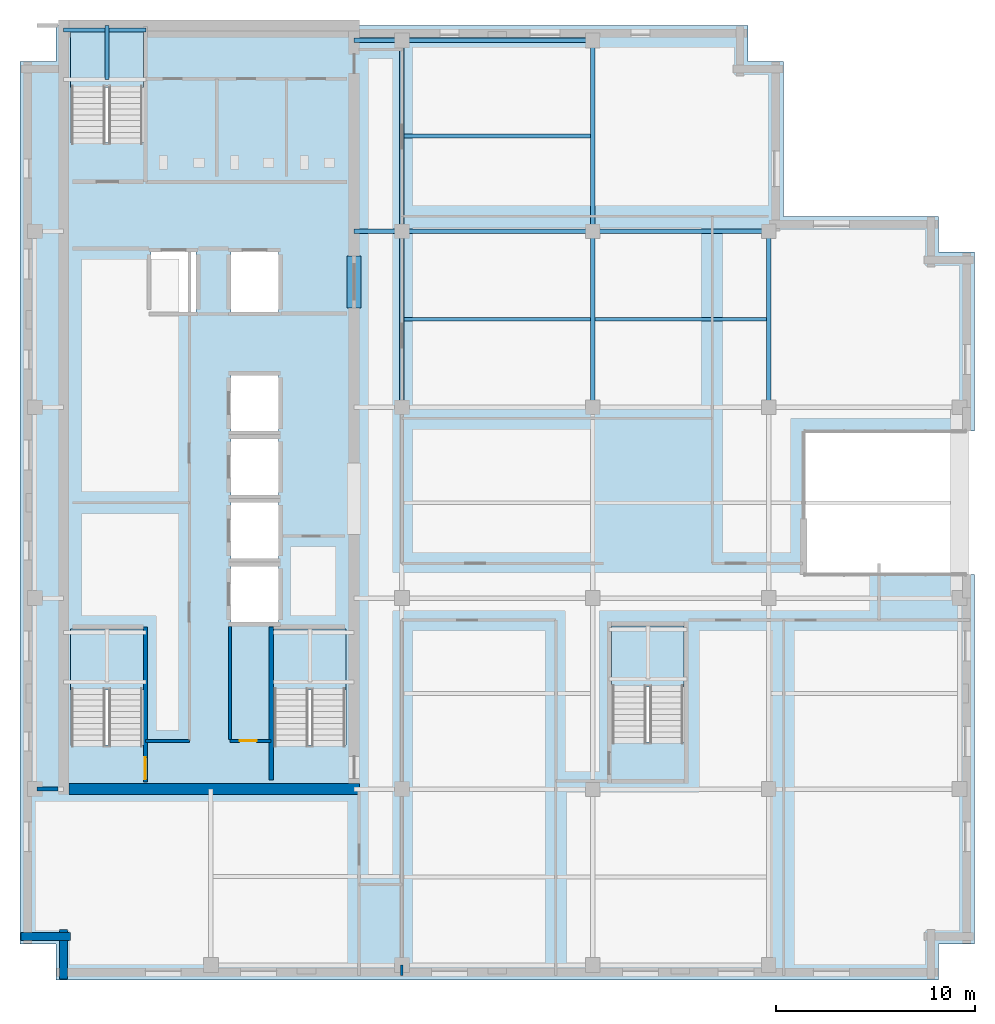
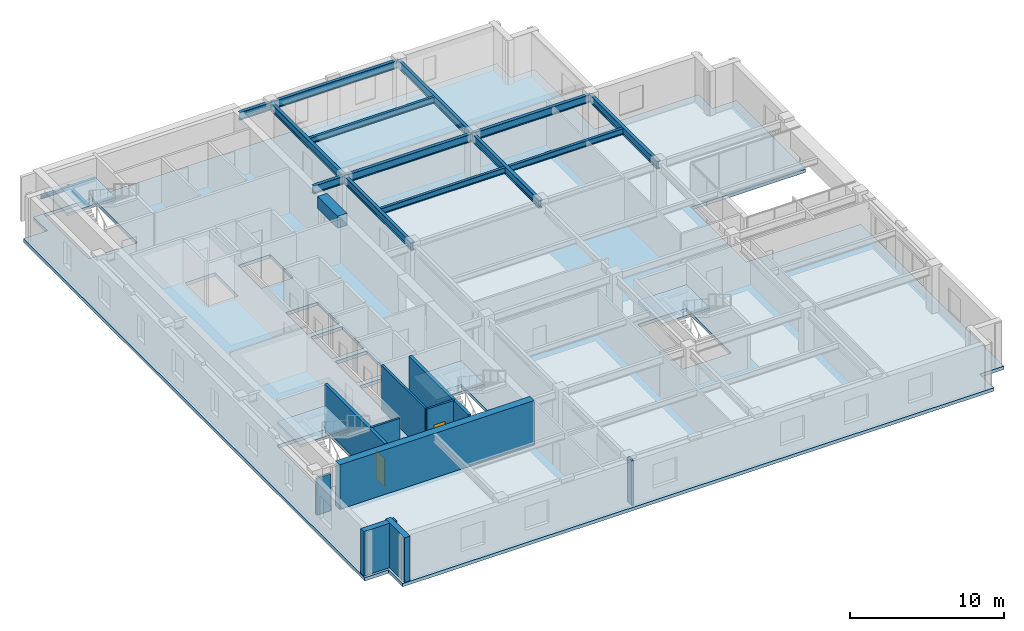
# One storey, part 2 of 11: 16 beams, 10 walls, 5 slabs, 2 doors, 2 openings, 4 elements without a shape of their own.
"""IFC4 building model written with IfcOpenShell, lengths in metres."""

from ifc_helpers import new_model, si_unit, direction, frame, frame_2d, origin, origin_2d, place, context, subcontext, project, spatial, polyline, rectangle, i_section, outline, extrude, material, layer, layer_set, material_profile, profile_set, type_object, element, fill, aggregate, save


model = new_model("IFC4")

# Units and contexts
model_context = context("Model", 3, precision=1e-05, world=origin(), true_north=direction((0.0, 1.0)))
body_context = subcontext(model_context, "Body", "Model", "MODEL_VIEW")
ifc_project = project(units=[si_unit("LENGTHUNIT", "METRE"), si_unit("AREAUNIT", "SQUARE_METRE"), si_unit("VOLUMEUNIT", "CUBIC_METRE"), si_unit("PLANEANGLEUNIT", "RADIAN"), si_unit("MASSUNIT", "GRAM", prefix="KILO")], contexts=[model_context])

# Site, building, storey
site_placement = place(None, origin())
site = spatial("IfcSite", under=ifc_project, at=site_placement, CompositionType="ELEMENT")
building_placement = place(site_placement, origin())
building = spatial("IfcBuilding", under=site, at=building_placement, Name="Norrvale University Quadrangle", CompositionType="ELEMENT")
storey_placement = place(building_placement, frame((0.0, 0.0, 281.0)))
storey = spatial("IfcBuildingStorey", under=building, at=storey_placement, Name="L71", CompositionType="ELEMENT", Elevation=281.0)

# Beams
ifc_material_1 = material(Name="Concrete C80/95", Category="concrete")
ifc_material_profile_1 = material_profile(ifc_material_1, rectangle(XDim=0.699951171875, YDim=0.949951171875, at=origin_2d()), Name="Concrete C80/95")
ifc_profile_set_1 = profile_set([ifc_material_profile_1], Name="Concrete C80/95")
beam_type_1 = type_object("IfcBeamType", Name="Beam Core Link 700x950", PredefinedType="LINTEL", material=ifc_profile_set_1)
beam_1_placement = place(storey_placement, frame((16.800048828125, 33.800048828125, 3.06494140625), z_axis=(0.0, 1.0, 0.0), x_axis=(-1.0, 0.0, 0.0)))
element("IfcBeam", 1, at=beam_1_placement, inside=storey, type_object=beam_type_1, Name="Core Coupling Lintel Beam L71-2", PredefinedType="LINTEL", context=body_context, shape_type="SweptSolid", body=[
    extrude(rectangle(XDim=0.699951171875, YDim=0.949951171875, at=origin_2d()), origin(), (0.0, 0.0, 1.0), 2.599853515625),
])
ifc_material_2 = material(Name="Steel 350W", Category="steel")
ifc_material_profile_2 = material_profile(ifc_material_2, i_section(OverallWidth=0.194091796875, OverallDepth=0.468994140625, WebThickness=0.0126953125, FlangeThickness=0.0205078125, FilletRadius=0.012939453125, at=origin_2d()), Name="Steel 350W")
ifc_profile_set_2 = profile_set([ifc_material_profile_2], Name="Steel 350W")
beam_type_2 = type_object("IfcBeamType", Name="Beam Floor W460x106", PredefinedType="BEAM", material=ifc_profile_set_2)
for number, where, z_axis, x_axis, name in (
    (2, (19.31494140625, 33.22509765625, 3.305419921875), (1.0, 0.0, 0.0), (0.0, 1.0, 0.0), "Beam Floor W460x106 BM-L71-J046"),
    (3, (19.31494140625, 42.449951171875, 3.305419921875), (1.0, 0.0, 0.0), (0.0, 1.0, 0.0), "Beam Floor W460x106 BM-L71-J047"),
):
    element("IfcBeam", number, at=place(storey_placement, frame(where, z_axis=z_axis, x_axis=x_axis)), inside=storey, type_object=beam_type_2, Name=name, PredefinedType="BEAM", context=body_context, shape_type="SweptSolid", body=[
        extrude(i_section(OverallWidth=0.194091796875, OverallDepth=0.468994140625, WebThickness=0.0126953125, FlangeThickness=0.0205078125, FilletRadius=0.012939453125, at=origin_2d()), origin(), (0.0, 0.0, 1.0), 9.3701171875),
    ])
beam_2_placement = place(storey_placement, frame((28.9150390625, 33.22509765625, 3.305419921875), z_axis=(1.0, 0.0, 0.0), x_axis=(0.0, 1.0, 0.0)))
element("IfcBeam", 4, at=beam_2_placement, inside=storey, type_object=beam_type_2, Name="Beam Floor W460x106 BM-L71-J050", PredefinedType="BEAM", context=body_context, shape_type="SweptSolid", body=[
    extrude(i_section(OverallWidth=0.194091796875, OverallDepth=0.468994140625, WebThickness=0.0126953125, FlangeThickness=0.0205078125, FilletRadius=0.012939453125, at=origin_2d()), origin(), (0.0, 0.0, 1.0), 8.619873046875),
])
ifc_material_profile_3 = material_profile(ifc_material_2, i_section(OverallWidth=0.22998046875, OverallDepth=0.616943359375, WebThickness=0.01318359375, FlangeThickness=0.022216796875, FilletRadius=0.01611328125, at=origin_2d()), Name="Steel 350W")
ifc_profile_set_3 = profile_set([ifc_material_profile_3], Name="Steel 350W")
beam_type_3 = type_object("IfcBeamType", Name="Beam Floor W610x140", PredefinedType="BEAM", material=ifc_profile_set_3)
beam_3_placement = place(storey_placement, frame((19.199951171875, 37.64990234375, 3.2314453125), z_axis=(1.0, 0.0, 0.0), x_axis=(0.0, 1.0, 0.0)))
element("IfcBeam", 5, at=beam_3_placement, inside=storey, type_object=beam_type_3, Name="Beam Floor W610x140 BM-L71-GX013", PredefinedType="BEAM", context=body_context, shape_type="SweptSolid", body=[
    extrude(i_section(OverallWidth=0.22998046875, OverallDepth=0.616943359375, WebThickness=0.01318359375, FlangeThickness=0.022216796875, FilletRadius=0.01611328125, at=origin_2d()), origin(), (0.0, 0.0, 1.0), 9.60009765625),
])
beam_4_placement = place(storey_placement, frame((28.800048828125, 37.64990234375, 3.2314453125), z_axis=(1.0, 0.0, 0.0), x_axis=(0.0, 1.0, 0.0)))
element("IfcBeam", 6, at=beam_4_placement, inside=storey, type_object=beam_type_3, Name="Beam Floor W610x140 BM-L71-GX014", PredefinedType="BEAM", context=body_context, shape_type="SweptSolid", body=[
    extrude(i_section(OverallWidth=0.22998046875, OverallDepth=0.616943359375, WebThickness=0.01318359375, FlangeThickness=0.022216796875, FilletRadius=0.01611328125, at=origin_2d()), origin(), (0.0, 0.0, 1.0), 8.849853515625),
])
beam_5_placement = place(storey_placement, frame((19.199951171875, 47.25, 3.2314453125), z_axis=(1.0, 0.0, 0.0), x_axis=(0.0, 1.0, 0.0)))
element("IfcBeam", 7, at=beam_5_placement, inside=storey, type_object=beam_type_3, Name="Beam Floor W610x140 BM-L71-GX015", PredefinedType="BEAM", context=body_context, shape_type="SweptSolid", body=[
    extrude(i_section(OverallWidth=0.22998046875, OverallDepth=0.616943359375, WebThickness=0.01318359375, FlangeThickness=0.022216796875, FilletRadius=0.01611328125, at=origin_2d()), origin(), (0.0, 0.0, 1.0), 9.60009765625),
])
beam_6_placement = place(storey_placement, frame((19.199951171875, 28.800048828125, 3.2314453125), z_axis=(0.0, 1.0, 0.0), x_axis=(-1.0, 0.0, 0.0)))
element("IfcBeam", 8, at=beam_6_placement, inside=storey, type_object=beam_type_3, Name="Beam Floor W610x140 BM-L71-GY022", PredefinedType="BEAM", context=body_context, shape_type="SweptSolid", body=[
    extrude(i_section(OverallWidth=0.22998046875, OverallDepth=0.616943359375, WebThickness=0.01318359375, FlangeThickness=0.022216796875, FilletRadius=0.01611328125, at=origin_2d()), origin(), (0.0, 0.0, 1.0), 8.849853515625),
])
beam_7_placement = place(storey_placement, frame((19.199951171875, 37.64990234375, 3.2314453125), z_axis=(0.0, 1.0, 0.0), x_axis=(-1.0, 0.0, 0.0)))
element("IfcBeam", 9, at=beam_7_placement, inside=storey, type_object=beam_type_3, Name="Beam Floor W610x140 BM-L71-GY023", PredefinedType="BEAM", context=body_context, shape_type="SweptSolid", body=[
    extrude(i_section(OverallWidth=0.22998046875, OverallDepth=0.616943359375, WebThickness=0.01318359375, FlangeThickness=0.022216796875, FilletRadius=0.01611328125, at=origin_2d()), origin(), (0.0, 0.0, 1.0), 9.60009765625),
])
beam_8_placement = place(storey_placement, frame((28.800048828125, 28.800048828125, 3.2314453125), z_axis=(0.0, 1.0, 0.0), x_axis=(-1.0, 0.0, 0.0)))
element("IfcBeam", 10, at=beam_8_placement, inside=storey, type_object=beam_type_3, Name="Beam Floor W610x140 BM-L71-GY027", PredefinedType="BEAM", context=body_context, shape_type="SweptSolid", body=[
    extrude(i_section(OverallWidth=0.22998046875, OverallDepth=0.616943359375, WebThickness=0.01318359375, FlangeThickness=0.022216796875, FilletRadius=0.01611328125, at=origin_2d()), origin(), (0.0, 0.0, 1.0), 8.849853515625),
])
beam_9_placement = place(storey_placement, frame((28.800048828125, 37.64990234375, 3.2314453125), z_axis=(0.0, 1.0, 0.0), x_axis=(-1.0, 0.0, 0.0)))
element("IfcBeam", 11, at=beam_9_placement, inside=storey, type_object=beam_type_3, Name="Beam Floor W610x140 BM-L71-GY028", PredefinedType="BEAM", context=body_context, shape_type="SweptSolid", body=[
    extrude(i_section(OverallWidth=0.22998046875, OverallDepth=0.616943359375, WebThickness=0.01318359375, FlangeThickness=0.022216796875, FilletRadius=0.01611328125, at=origin_2d()), origin(), (0.0, 0.0, 1.0), 9.60009765625),
])
beam_10_placement = place(storey_placement, frame((37.64990234375, 28.800048828125, 3.2314453125), z_axis=(0.0, 1.0, 0.0), x_axis=(-1.0, 0.0, 0.0)))
element("IfcBeam", 12, at=beam_10_placement, inside=storey, type_object=beam_type_3, Name="Beam Floor W610x140 BM-L71-GY032", PredefinedType="BEAM", context=body_context, shape_type="SweptSolid", body=[
    extrude(i_section(OverallWidth=0.22998046875, OverallDepth=0.616943359375, WebThickness=0.01318359375, FlangeThickness=0.022216796875, FilletRadius=0.01611328125, at=origin_2d()), origin(), (0.0, 0.0, 1.0), 8.849853515625),
])
for number, where, z_axis, x_axis, name in (
    (13, (16.800048828125, 37.64990234375, 3.2314453125), (1.0, 0.0, 0.0), (0.0, 1.0, 0.0), "Beam Floor W610x140 BM-L71-GCE041"),
    (14, (16.800048828125, 47.25, 3.2314453125), (1.0, 0.0, 0.0), (0.0, 1.0, 0.0), "Beam Floor W610x140 BM-L71-GCE042"),
):
    element("IfcBeam", number, at=place(storey_placement, frame(where, z_axis=z_axis, x_axis=x_axis)), inside=storey, type_object=beam_type_3, Name=name, PredefinedType="BEAM", context=body_context, shape_type="SweptSolid", body=[
        extrude(i_section(OverallWidth=0.22998046875, OverallDepth=0.616943359375, WebThickness=0.01318359375, FlangeThickness=0.022216796875, FilletRadius=0.01611328125, at=origin_2d()), origin(), (0.0, 0.0, 1.0), 2.39990234375),
    ])
ifc_material_profile_4 = material_profile(ifc_material_2, i_section(OverallWidth=0.201904296875, OverallDepth=0.2470703125, WebThickness=0.00732421875, FlangeThickness=0.010986328125, FilletRadius=0.011962890625, at=origin_2d()), Name="Steel 350W")
ifc_profile_set_4 = profile_set([ifc_material_profile_4], Name="Steel 350W")
beam_type_4 = type_object("IfcBeamType", Name="Beam Stair W250x49", PredefinedType="BEAM", material=ifc_profile_set_4)
beam_11_placement = place(storey_placement, frame((2.199951171875, 47.77001953125, 1.576416015625), z_axis=(1.0, 0.0, 0.0), x_axis=(0.0, 1.0, 0.0)))
element("IfcBeam", 15, at=beam_11_placement, inside=storey, type_object=beam_type_4, Name="Stair Mid-Landing Rear Beam ST-02 L71", PredefinedType="BEAM", context=body_context, shape_type="SweptSolid", body=[
    extrude(i_section(OverallWidth=0.201904296875, OverallDepth=0.2470703125, WebThickness=0.00732421875, FlangeThickness=0.010986328125, FilletRadius=0.011962890625, at=origin_2d()), origin(), (0.0, 0.0, 1.0), 4.14013671875),
])
ifc_material_profile_5 = material_profile(ifc_material_2, i_section(OverallWidth=0.202880859375, OverallDepth=0.202880859375, WebThickness=0.007080078125, FlangeThickness=0.010986328125, FilletRadius=0.010009765625, at=origin_2d()), Name="Steel 350W")
ifc_profile_set_5 = profile_set([ifc_material_profile_5], Name="Steel 350W")
beam_type_5 = type_object("IfcBeamType", Name="Beam Trim W200x46", PredefinedType="BEAM", material=ifc_profile_set_5)
beam_12_placement = place(storey_placement, frame((4.375, 45.2900390625, 1.598388671875), z_axis=(0.0, 1.0, 0.0), x_axis=(-1.0, 0.0, 0.0)))
element("IfcBeam", 16, at=beam_12_placement, inside=storey, type_object=beam_type_5, Name="Stair Mid-Landing Cross Beam ST-02 L71", PredefinedType="BEAM", context=body_context, shape_type="SweptSolid", body=[
    extrude(i_section(OverallWidth=0.202880859375, OverallDepth=0.202880859375, WebThickness=0.007080078125, FlangeThickness=0.010986328125, FilletRadius=0.010009765625, at=origin_2d()), origin(), (0.0, 0.0, 1.0), 2.7099609375),
])

# Stair, slab
ifc_material_3 = material(Name="Concrete C40/50", Category="concrete")
stair_type = type_object("IfcStairType", Name="Stair Tower Typ 3800", PredefinedType="TWO_STRAIGHT_RUN_STAIR", material=ifc_material_3)
stair_1_placement = place(storey_placement, origin())
stair_1 = element("IfcStair", 17, at=stair_1_placement, inside=storey, type_object=stair_type, Name="Exit Stair ST-01 L71", PredefinedType="TWO_STRAIGHT_RUN_STAIR")
ifc_layer_1 = layer(ifc_material_3, 0.199951171875, Name="Concrete C40/50")
ifc_layer_set_1 = layer_set([ifc_layer_1], Name="Concrete C40/50")
slab_type_1 = type_object("IfcSlabType", Name="Slab Landing 200", PredefinedType="LANDING", material=ifc_layer_set_1)
slab_1_placement = place(storey_placement, frame((0.0, 0.0, 1.699951171875)))
slab_1 = element("IfcSlab", 18, at=slab_1_placement, type_object=slab_type_1, Name="Exit Stair ST-01 L71 Mid Landing", PredefinedType="LANDING", context=body_context, shape_type="SweptSolid", body=[
    extrude(outline(polyline([(2.550048828125, 14.590087890625), (6.199951171875, 14.590087890625), (6.199951171875, 17.64990234375), (2.550048828125, 17.64990234375), (2.550048828125, 14.590087890625)])), origin(), (0.0, 0.0, 1.0), 0.199951171875),
])
aggregate(stair_1, [slab_1])

stair_2_placement = place(storey_placement, origin())
stair_2 = element("IfcStair", 19, at=stair_2_placement, inside=storey, type_object=stair_type, Name="Exit Stair ST-02 L71", PredefinedType="TWO_STRAIGHT_RUN_STAIR")
slab_2_placement = place(storey_placement, frame((0.0, 0.0, 1.699951171875)))
slab_2 = element("IfcSlab", 20, at=slab_2_placement, type_object=slab_type_1, Name="Exit Stair ST-02 L71 Mid Landing", PredefinedType="LANDING", context=body_context, shape_type="SweptSolid", body=[
    extrude(outline(polyline([(2.550048828125, 44.889892578125), (6.199951171875, 44.889892578125), (6.199951171875, 47.949951171875), (2.550048828125, 47.949951171875), (2.550048828125, 44.889892578125)])), origin(), (0.0, 0.0, 1.0), 0.199951171875),
])
aggregate(stair_2, [slab_2])

stair_3_placement = place(storey_placement, origin())
stair_3 = element("IfcStair", 21, at=stair_3_placement, inside=storey, type_object=stair_type, Name="Exit Stair ST-03 L71", PredefinedType="TWO_STRAIGHT_RUN_STAIR")
slab_3_placement = place(storey_placement, frame((0.0, 0.0, 1.699951171875)))
slab_3 = element("IfcSlab", 22, at=slab_3_placement, type_object=slab_type_1, Name="Exit Stair ST-03 L71 Mid Landing", PredefinedType="LANDING", context=body_context, shape_type="SweptSolid", body=[
    extrude(outline(polyline([(12.75, 14.590087890625), (16.39990234375, 14.590087890625), (16.39990234375, 17.64990234375), (12.75, 17.64990234375), (12.75, 14.590087890625)])), origin(), (0.0, 0.0, 1.0), 0.199951171875),
])
aggregate(stair_3, [slab_3])

stair_4_placement = place(storey_placement, origin())
stair_4 = element("IfcStair", 23, at=stair_4_placement, inside=storey, type_object=stair_type, Name="Exit Stair ST-04 L71", PredefinedType="TWO_STRAIGHT_RUN_STAIR")
slab_4_placement = place(storey_placement, frame((0.0, 0.0, 1.699951171875)))
slab_4 = element("IfcSlab", 24, at=slab_4_placement, type_object=slab_type_1, Name="Exit Stair ST-04 L71 Mid Landing", PredefinedType="LANDING", context=body_context, shape_type="SweptSolid", body=[
    extrude(outline(polyline([(29.75, 14.739990234375), (33.39990234375, 14.739990234375), (33.39990234375, 17.800048828125), (29.75, 17.800048828125), (29.75, 14.739990234375)])), origin(), (0.0, 0.0, 1.0), 0.199951171875),
])
aggregate(stair_4, [slab_4])

# Slab
ifc_layer_2 = layer(ifc_material_3, 0.260009765625, Name="Concrete C40/50")
ifc_layer_set_2 = layer_set([ifc_layer_2], Name="Concrete C40/50")
slab_type_2 = type_object("IfcSlabType", Name="Slab Tower Typ 260", PredefinedType="FLOOR", material=ifc_layer_set_2)
slab_5_placement = place(storey_placement, frame((0.0, 0.0, -0.260009765625)))
element("IfcSlab", 25, at=slab_5_placement, inside=storey, type_object=slab_type_2, Name="Tower L71 Floor Slab", PredefinedType="FLOOR", context=body_context, shape_type="SweptSolid", body=[
    extrude(outline(polyline([(48.0, 1.800048828125), (46.199951171875, 1.800048828125), (46.199951171875, 0.0), (1.800048828125, 0.0), (1.800048828125, 1.800048828125), (0.0, 1.800048828125), (0.0, 46.199951171875), (1.800048828125, 46.199951171875), (1.800048828125, 48.0), (36.60009765625, 48.0), (36.60009765625, 46.199951171875), (38.39990234375, 46.199951171875), (38.39990234375, 38.39990234375), (46.199951171875, 38.39990234375), (46.199951171875, 36.60009765625), (48.0, 36.60009765625), (48.0, 27.60009765625), (39.39990234375, 27.60009765625), (39.39990234375, 20.39990234375), (48.0, 20.39990234375), (48.0, 1.800048828125)]), holes=[polyline([(2.550048828125, 11.81005859375), (6.199951171875, 11.81005859375), (6.199951171875, 17.64990234375), (2.550048828125, 17.64990234375), (2.550048828125, 11.81005859375)]), polyline([(2.550048828125, 42.110107421875), (6.199951171875, 42.110107421875), (6.199951171875, 47.949951171875), (2.550048828125, 47.949951171875), (2.550048828125, 42.110107421875)]), polyline([(12.75, 11.81005859375), (16.39990234375, 11.81005859375), (16.39990234375, 17.64990234375), (12.75, 17.64990234375), (12.75, 11.81005859375)]), polyline([(29.75, 11.9599609375), (33.39990234375, 11.9599609375), (33.39990234375, 17.800048828125), (29.75, 17.800048828125), (29.75, 11.9599609375)]), polyline([(10.60009765625, 18.0), (13.0, 18.0), (13.0, 20.800048828125), (10.60009765625, 20.800048828125), (10.60009765625, 18.0)]), polyline([(10.60009765625, 21.199951171875), (13.0, 21.199951171875), (13.0, 24.0), (10.60009765625, 24.0), (10.60009765625, 21.199951171875)]), polyline([(10.60009765625, 24.39990234375), (13.0, 24.39990234375), (13.0, 27.199951171875), (10.60009765625, 27.199951171875), (10.60009765625, 24.39990234375)]), polyline([(10.60009765625, 27.60009765625), (13.0, 27.60009765625), (13.0, 30.39990234375), (10.60009765625, 30.39990234375), (10.60009765625, 27.60009765625)]), polyline([(6.60009765625, 33.60009765625), (8.85009765625, 33.60009765625), (8.85009765625, 36.60009765625), (6.60009765625, 36.60009765625), (6.60009765625, 33.60009765625)]), polyline([(10.60009765625, 33.60009765625), (13.0, 33.60009765625), (13.0, 36.60009765625), (10.60009765625, 36.60009765625), (10.60009765625, 33.60009765625)])]), origin(), (0.0, 0.0, 1.0), 0.260009765625),
])

# Walls
ifc_material_4 = material(Name="Buff Norman Clay Brick Masonry", Category="masonry")
ifc_layer_3 = layer(ifc_material_4, 0.419921875, Name="Buff Norman Clay Brick Masonry")
ifc_layer_set_3 = layer_set([ifc_layer_3], Name="Buff Norman Clay Brick Masonry")
wall_type_1 = type_object("IfcWallType", Name="Wall Buff Brick 420", PredefinedType="SOLIDWALL", material=ifc_layer_set_3)
for number, where, z_axis, x_axis, name in (
    (26, (0.0400390625, 2.18994140625, 0.0), (0.0, 0.0, 1.0), (1.0, 0.0, 0.0), "Exterior Brick Facade Wall L71-15.1"),
    (27, (2.18994140625, 2.5400390625, 0.0), (0.0, 0.0, 1.0), (0.0, -1.0, 0.0), "Exterior Brick Facade Wall L71-16.1"),
):
    element("IfcWall", number, at=place(storey_placement, frame(where, z_axis=z_axis, x_axis=x_axis)), inside=storey, type_object=wall_type_1, Name=name, PredefinedType="SOLIDWALL", context=body_context, shape_type="SweptSolid", body=[
        extrude(rectangle(XDim=2.5, YDim=0.419921875, at=frame_2d((1.25, 0.0))), origin(), (0.0, 0.0, 1.0), 3.5400390625),
    ])
ifc_material_5 = material(Name="Concrete C60/75", Category="concrete")
ifc_layer_4 = layer(ifc_material_5, 0.550048828125, Name="Concrete C60/75")
ifc_layer_set_4 = layer_set([ifc_layer_4], Name="Concrete C60/75")
wall_type_2 = type_object("IfcWallType", Name="Wall Core 550", PredefinedType="SHEAR", material=ifc_layer_set_4)
wall_1_placement = place(storey_placement, frame((2.47509765625, 9.60009765625, 0.0), z_axis=(0.0, 0.0, 1.0), x_axis=(1.0, 0.0, 0.0)))
element("IfcWall", 28, at=wall_1_placement, inside=storey, type_object=wall_type_2, Name="Tower Core Shear Wall L71-S", PredefinedType="SHEAR", context=body_context, shape_type="SweptSolid", body=[
    extrude(rectangle(XDim=14.599853515625, YDim=0.550048828125, at=frame_2d((7.2998046875, 0.0))), origin(), (0.0, 0.0, 1.0), 3.5400390625),
])
ifc_material_6 = material(Name="Standard Academic Gypsum Partition")
ifc_layer_5 = layer(ifc_material_6, 0.125, Name="Standard Academic Gypsum Partition")
ifc_layer_set_5 = layer_set([ifc_layer_5], Name="Standard Academic Gypsum Partition")
wall_type_3 = type_object("IfcWallType", Name="Wall Gypsum Academic 125", PredefinedType="PARTITIONING", material=ifc_layer_set_5)
wall_2_placement = place(storey_placement, frame((19.199951171875, 0.219970703125, 0.0), z_axis=(0.0, 0.0, 1.0), x_axis=(0.0, 1.0, 0.0)))
element("IfcWall", 29, at=wall_2_placement, inside=storey, type_object=wall_type_3, Name="Interior Partition WL-L71-SE-W0", PredefinedType="PARTITIONING", context=body_context, shape_type="SweptSolid", body=[
    extrude(rectangle(XDim=0.530029296875, YDim=0.125, at=frame_2d((0.26513671875, 0.0))), origin(), (0.0, 0.0, 1.0), 3.5400390625),
])

# Wall, opening, door
ifc_material_7 = material(Name="Fire-Rated Gypsum Stud Partition")
ifc_layer_6 = layer(ifc_material_7, 0.14990234375, Name="Fire-Rated Gypsum Stud Partition")
ifc_layer_set_6 = layer_set([ifc_layer_6], Name="Fire-Rated Gypsum Stud Partition")
wall_type_4 = type_object("IfcWallType", Name="Wall Gypsum Corridor 150", PredefinedType="PARTITIONING", material=ifc_layer_set_6)
wall_3_placement = place(storey_placement, frame((10.550048828125, 12.02001953125, 0.0), z_axis=(0.0, 0.0, 1.0), x_axis=(1.0, 0.0, 0.0)))
wall_3 = element("IfcWall", 30, at=wall_3_placement, inside=storey, type_object=wall_type_4, Name="Interior Partition WL-L71-SC-NR", PredefinedType="PARTITIONING", context=body_context, shape_type="SweptSolid", body=[
    extrude(rectangle(XDim=2.079833984375, YDim=0.14990234375, at=frame_2d((1.0400390625, 0.0))), origin(), (0.0, 0.0, 1.0), 3.5400390625),
])
opening_1_placement = place(wall_3_placement, frame((0.5, 0.0, 0.0)))
opening_1 = element("IfcOpeningElement", 31, at=opening_1_placement, cuts=wall_3, Name="Opening D10", PredefinedType="OPENING", context=body_context, shape_type="SweptSolid", body=[
    extrude(rectangle(XDim=0.85009765625, YDim=2.10009765625, at=frame_2d((0.425048828125, 1.050048828125))), frame((0.0, 0.0869140625, 0.0), z_axis=(0.0, -1.0, 0.0), x_axis=(1.0, 0.0, 0.0)), (0.0, 0.0, 1.0), 0.173828125),
])
ifc_material_8 = material(Name="Hollow Steel 350W Riser Fire Door", Category="steel")
door_type_1 = type_object("IfcDoorType", Name="Door Riser 850x2100", OperationType="NOTDEFINED", PredefinedType="DOOR", material=ifc_material_8)
door_1_placement = place(opening_1_placement, origin())
door_1 = element("IfcDoor", 32, at=door_1_placement, inside=storey, type_object=door_type_1, Name="Door Riser 850x2100 DR-L71-IDF", OperationType="SINGLE_SWING_RIGHT", OverallHeight=2.10009765625, OverallWidth=0.85009765625, PredefinedType="DOOR", context=body_context, shape_type="SweptSolid", body=[
    extrude(rectangle(XDim=0.85009765625, YDim=2.10009765625, at=frame_2d((0.425048828125, 1.050048828125))), frame((0.0, 0.02490234375, 0.0), z_axis=(0.0, -1.0, 0.0), x_axis=(1.0, 0.0, 0.0)), (0.0, 0.0, 1.0), 0.050048828125),
])
fill(opening_1, door_1)

# Walls
wall_4_placement = place(storey_placement, frame((10.550048828125, 12.094970703125, 0.0), z_axis=(0.0, 0.0, 1.0), x_axis=(0.0, 1.0, 0.0)))
element("IfcWall", 33, at=wall_4_placement, inside=storey, type_object=wall_type_4, Name="Interior Partition WL-L71-SC-WR", PredefinedType="PARTITIONING", context=body_context, shape_type="SweptSolid", body=[
    extrude(rectangle(XDim=5.679931640625, YDim=0.14990234375, at=frame_2d((2.83984375, 0.0))), origin(), (0.0, 0.0, 1.0), 3.5400390625),
])
wall_5_placement = place(storey_placement, frame((6.320068359375, 12.02001953125, 0.0), z_axis=(0.0, 0.0, 1.0), x_axis=(1.0, 0.0, 0.0)))
element("IfcWall", 34, at=wall_5_placement, inside=storey, type_object=wall_type_4, Name="Interior Partition WL-L71-REC-S", PredefinedType="PARTITIONING", context=body_context, shape_type="SweptSolid", body=[
    extrude(rectangle(XDim=2.199951171875, YDim=0.14990234375, at=frame_2d((1.10009765625, 0.0))), origin(), (0.0, 0.0, 1.0), 3.5400390625),
])
ifc_material_9 = material(Name="Concrete Blockwork 20 MPa Rated Wall", Category="masonry")
ifc_layer_7 = layer(ifc_material_9, 0.199951171875, Name="Concrete Blockwork 20 MPa Rated Wall")
ifc_layer_set_7 = layer_set([ifc_layer_7], Name="Concrete Blockwork 20 MPa Rated Wall")
wall_type_5 = type_object("IfcWallType", Name="Wall Lobby 200", PredefinedType="SOLIDWALL", material=ifc_layer_set_7)
wall_6_placement = place(storey_placement, frame((0.85009765625, 9.60009765625, 0.0), z_axis=(0.0, 0.0, 1.0), x_axis=(1.0, 0.0, 0.0)))
element("IfcWall", 35, at=wall_6_placement, inside=storey, type_object=wall_type_5, Name="Interior Partition WL-L71-CWRET-S", PredefinedType="SOLIDWALL", context=body_context, shape_type="SweptSolid", body=[
    extrude(rectangle(XDim=1.06982421875, YDim=0.199951171875, at=frame_2d((0.534912109375, 0.0))), origin(), (0.0, 0.0, 1.0), 2.923095703125),
])

# Wall, opening, door
ifc_material_10 = material(Name="Concrete Blockwork 20 MPa Fire Shaft", Category="masonry")
ifc_layer_8 = layer(ifc_material_10, 0.219970703125, Name="Concrete Blockwork 20 MPa Fire Shaft")
ifc_layer_set_8 = layer_set([ifc_layer_8], Name="Concrete Blockwork 20 MPa Fire Shaft")
wall_type_6 = type_object("IfcWallType", Name="Wall Shaft 220", PredefinedType="SOLIDWALL", material=ifc_layer_set_8)
wall_7_placement = place(storey_placement, frame((6.31005859375, 9.949951171875, 0.0), z_axis=(0.0, 0.0, 1.0), x_axis=(0.0, 1.0, 0.0)))
wall_7 = element("IfcWall", 36, at=wall_7_placement, inside=storey, type_object=wall_type_6, Name="Stair ST-01 East Shaft Wall L71", PredefinedType="SOLIDWALL", context=body_context, shape_type="SweptSolid", body=[
    extrude(rectangle(XDim=7.81005859375, YDim=0.219970703125, at=frame_2d((3.905029296875, 0.0))), origin(), (0.0, 0.0, 1.0), 3.5400390625),
])
opening_2_placement = place(wall_7_placement, frame((0.139892578125, 0.0, 0.0)))
opening_2 = element("IfcOpeningElement", 37, at=opening_2_placement, cuts=wall_7, Name="Opening D02", PredefinedType="OPENING", context=body_context, shape_type="SweptSolid", body=[
    extrude(rectangle(XDim=1.10009765625, YDim=2.199951171875, at=frame_2d((0.550048828125, 1.10009765625))), frame((0.0, 0.1220703125, 0.0), z_axis=(0.0, -1.0, 0.0), x_axis=(1.0, 0.0, 0.0)), (0.0, 0.0, 1.0), 0.243896484375),
])
ifc_material_11 = material(Name="Hollow Steel 350W Fire Door", Category="steel")
door_type_2 = type_object("IfcDoorType", Name="Door Stair Exit 1100x2200", OperationType="NOTDEFINED", PredefinedType="DOOR", material=ifc_material_11)
door_2_placement = place(opening_2_placement, origin())
door_2 = element("IfcDoor", 38, at=door_2_placement, inside=storey, type_object=door_type_2, Name="Door Stair Exit 1100x2200 DR-L71-ST01", OperationType="SINGLE_SWING_LEFT", OverallHeight=2.199951171875, OverallWidth=1.10009765625, PredefinedType="DOOR", context=body_context, shape_type="SweptSolid", body=[
    extrude(rectangle(XDim=1.10009765625, YDim=2.199951171875, at=frame_2d((0.550048828125, 1.10009765625))), frame((0.0, 0.02490234375, 0.0), z_axis=(0.0, -1.0, 0.0), x_axis=(1.0, 0.0, 0.0)), (0.0, 0.0, 1.0), 0.050048828125),
])
fill(opening_2, door_2)

# Wall
wall_8_placement = place(storey_placement, frame((12.639892578125, 10.050048828125, 0.0), z_axis=(0.0, 0.0, 1.0), x_axis=(0.0, 1.0, 0.0)))
element("IfcWall", 39, at=wall_8_placement, inside=storey, type_object=wall_type_6, Name="Stair ST-03 West Shaft Wall L71", PredefinedType="SOLIDWALL", context=body_context, shape_type="SweptSolid", body=[
    extrude(rectangle(XDim=7.7099609375, YDim=0.219970703125, at=frame_2d((3.85498046875, 0.0))), origin(), (0.0, 0.0, 1.0), 3.5400390625),
])

save(model, "model.ifc")
